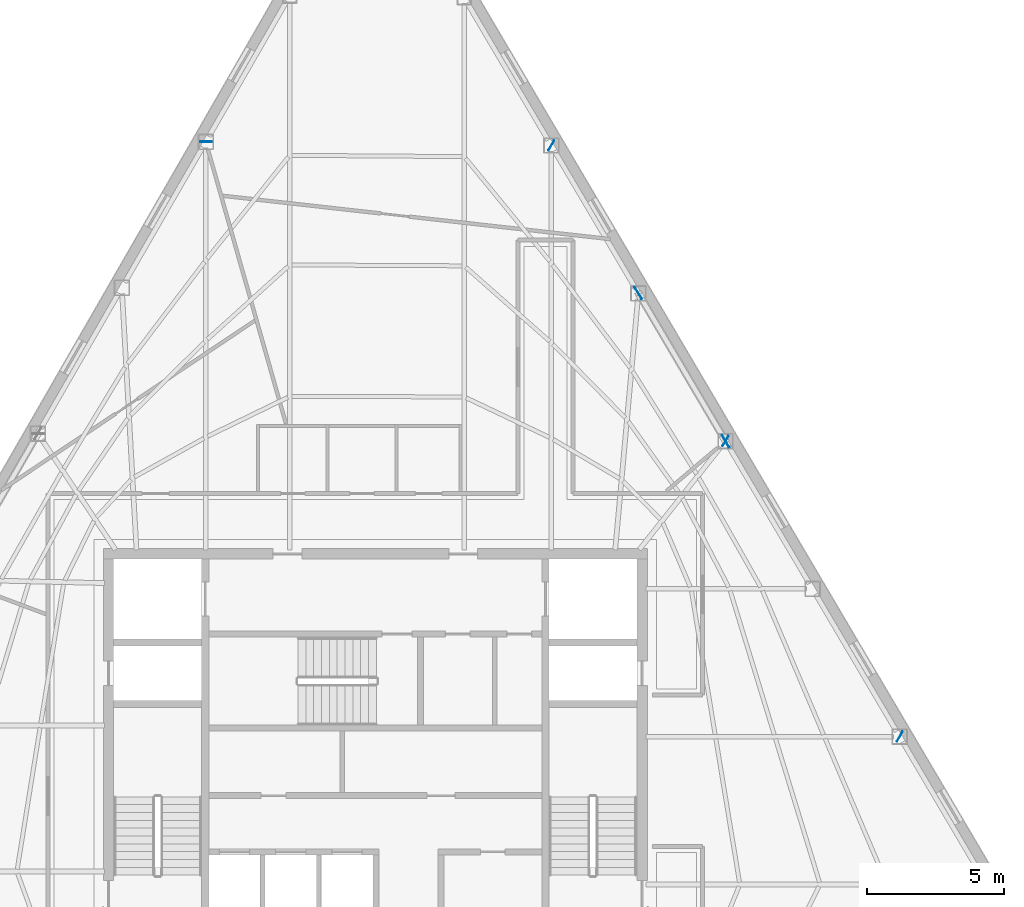
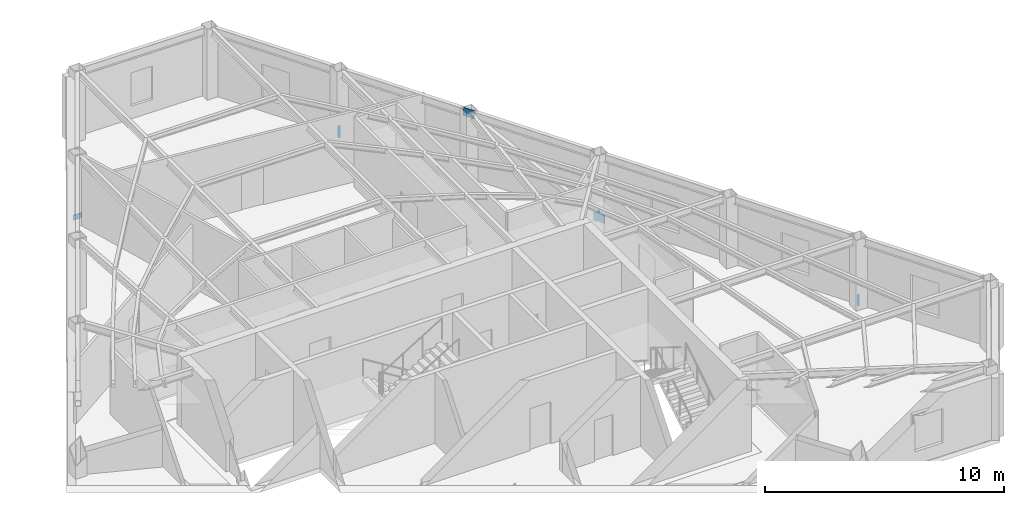
# One storey, part 6 of 11: 6 plates.
"""IFC4 building model written with IfcOpenShell, lengths in metres."""

from ifc_helpers import new_model, si_unit, direction, frame, origin, origin_2d, place, context, subcontext, project, spatial, rectangle, extrude, material, layer, layer_set, type_object, element, save


model = new_model("IFC4")

# Units and contexts
model_context = context("Model", 3, precision=1e-05, world=origin(), true_north=direction((0.0, 1.0)))
body_context = subcontext(model_context, "Body", "Model", "MODEL_VIEW")
ifc_project = project(units=[si_unit("LENGTHUNIT", "METRE"), si_unit("AREAUNIT", "SQUARE_METRE"), si_unit("VOLUMEUNIT", "CUBIC_METRE"), si_unit("PLANEANGLEUNIT", "RADIAN"), si_unit("MASSUNIT", "GRAM", prefix="KILO")], contexts=[model_context])

# Site, building, storey
site_placement = place(None, origin())
site = spatial("IfcSite", under=ifc_project, at=site_placement, CompositionType="ELEMENT")
building_placement = place(site_placement, origin())
building = spatial("IfcBuilding", under=site, at=building_placement, Name="Kavelnor Concourse Tower", CompositionType="ELEMENT")
storey_placement = place(building_placement, frame((0.0, 0.0, 262.60009765625)))
storey = spatial("IfcBuildingStorey", under=building, at=storey_placement, Name="L66", CompositionType="ELEMENT", Elevation=262.60009765625)

# Plates
ifc_material = material(Name="Steel Grade 350", Category="steel")
ifc_layer_1 = layer(ifc_material, 0.031982421875, Name="Steel Grade 350")
ifc_layer_set_1 = layer_set([ifc_layer_1], Name="Steel Grade 350")
plate_type_1 = type_object("IfcPlateType", Name="PL-GUSSET-TUBE-Z1", PredefinedType="USERDEFINED", material=ifc_layer_set_1)
for number, where, z_axis, x_axis, name in (
    (1, (50.751953125, 26.88720703125, 0.010009765625), (0.0, 0.0, 1.0), (-0.507688737887, 0.861540565163, 0.0), "L66 Tube Brace Gusset GP3 F2-B3 End Gusset A"),
    (2, (47.570068359375, 32.28662109375, 3.197021484375), (0.0, 0.0, 1.0), (-0.507688737887, 0.861540565163, 0.0), "L66 Tube Brace Gusset GP3 F2-B3 End Gusset B"),
):
    element("IfcPlate", number, at=place(storey_placement, frame(where, z_axis=z_axis, x_axis=x_axis)), inside=storey, type_object=plate_type_1, Name=name, ObjectType="GUSSET_PLATE", PredefinedType="USERDEFINED", context=body_context, shape_type="SweptSolid", body=[
        extrude(rectangle(XDim=0.52001953125, YDim=0.031982421875, at=origin_2d()), origin(), (0.0, 0.0, 1.0), 0.419921875),
    ])
ifc_layer_2 = layer(ifc_material, 0.02490234375, Name="Steel Grade 350")
ifc_layer_set_2 = layer_set([ifc_layer_2], Name="Steel Grade 350")
plate_type_2 = type_object("IfcPlateType", Name="PL-SPLICE-FLANGE", PredefinedType="SHEET", material=ifc_layer_set_2)
for number, where, z_axis, x_axis, name in (
    (3, (31.831298828125, 37.78857421875, 0.169921875), (0.0, 0.0, 1.0), (1.0, 0.0, 0.0), "L66 Column Flange Splice Plate F0-B1"),
    (4, (57.0849609375, 16.139892578125, 0.169921875), (0.0, 0.0, 1.0), (-0.5, -0.866025403784, 0.0), "L66 Column Flange Splice Plate F2-B1"),
    (5, (50.745849609375, 26.8974609375, 0.169921875), (0.0, 0.0, 1.0), (-0.5, -0.866025403784, 0.0), "L66 Column Flange Splice Plate F2-B3"),
    (6, (44.406494140625, 37.655029296875, 0.169921875), (0.0, 0.0, 1.0), (-0.5, -0.866025403784, 0.0), "L66 Column Flange Splice Plate F2-B5"),
):
    element("IfcPlate", number, at=place(storey_placement, frame(where, z_axis=z_axis, x_axis=x_axis)), inside=storey, type_object=plate_type_2, Name=name, PredefinedType="SHEET", context=body_context, shape_type="SweptSolid", body=[
        extrude(rectangle(XDim=0.419921875, YDim=0.02490234375, at=origin_2d()), origin(), (0.0, 0.0, 1.0), 0.260009765625),
    ])

save(model, "model.ifc")
